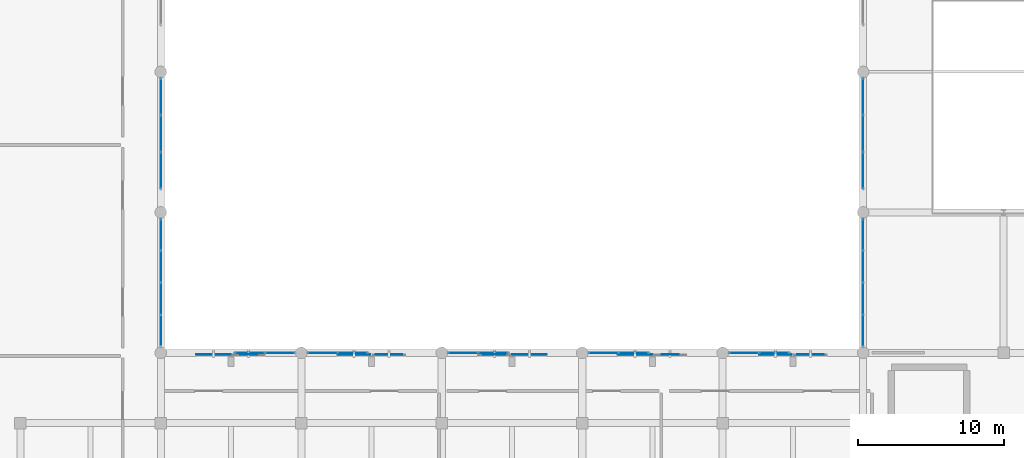
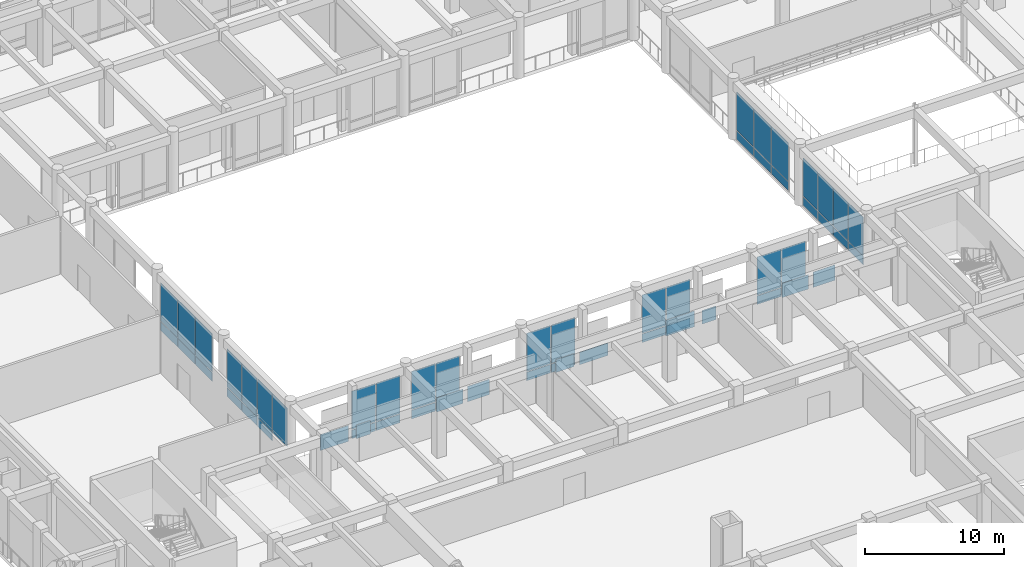
# One storey, part 92 of 134: 57 plates, 9 elements without a shape of their own.
"""IFC4 building model written with IfcOpenShell, lengths in metres."""

import ifcopenshell
import ifcopenshell.guid

model = None  # the IFC model being written
_history = None  # IfcOwnerHistory: only IFC2X3 demands one
_inside = {}  # id of a spatial element -> (the spatial element, [elements in it])
_under = {}  # id of a project, library or spatial element -> (it, [spatial elements below it])
_declared = {}  # id of a project -> (the project, [libraries it declares])
_typed = {}  # id of a type object -> (the type object, [elements of that type])
_made_of = {}  # id of a material, layer set ... -> (it, [elements and type objects made of it])


def new_model(schema):
    """Start an empty IFC model of exactly this schema.

    Asked for "IFC4X3", IfcOpenShell would pick the latest addendum, in which some entities
    have other attributes; the version numbers below select the first issue.
    IFC2X3 requires an IfcOwnerHistory on every rooted entity: one is made here for all.
    """
    global model, _history
    if schema == "IFC4X3":
        model = ifcopenshell.file(schema_version=(4, 3, 0, 0))
    else:
        model = ifcopenshell.file(schema=schema)
    _inside.clear()
    _under.clear()
    _declared.clear()
    _typed.clear()
    _made_of.clear()
    _history = None
    if model.schema == "IFC2X3":
        org = make("IfcOrganization", Name="unknown")
        user = make(
            "IfcPersonAndOrganization",
            ThePerson=make("IfcPerson", FamilyName="unknown"),
            TheOrganization=org,
        )
        app = make(
            "IfcApplication",
            ApplicationDeveloper=org,
            Version="unknown",
            ApplicationFullName="unknown",
            ApplicationIdentifier="unknown",
        )
        _history = make(
            "IfcOwnerHistory",
            OwningUser=user,
            OwningApplication=app,
            ChangeAction="ADDED",
            CreationDate=0,
        )
    return model


def make(cls, **values):
    """One entity of the class cls with the attributes given. An attribute that is None is left unset."""
    return model.create_entity(
        cls, **{name: value for name, value in values.items() if value is not None}
    )


def rooted(cls, **values):
    """An entity with a GlobalId (a new one), such as an element, a storey or a relation."""
    return make(cls, GlobalId=ifcopenshell.guid.new(), OwnerHistory=_history, **values)


def si_unit(unit_type, name, prefix=None):
    """IfcSIUnit, for example si_unit("LENGTHUNIT", "METRE", prefix="MILLI")."""
    return make("IfcSIUnit", UnitType=unit_type, Prefix=prefix, Name=name)


def assignment(units):
    """IfcUnitAssignment: the units of a project."""
    return None if units is None else make("IfcUnitAssignment", Units=units)


def point(xyz):
    """IfcCartesianPoint."""
    return None if xyz is None else make("IfcCartesianPoint", Coordinates=xyz)


def direction(xyz):
    """IfcDirection."""
    return None if xyz is None else make("IfcDirection", DirectionRatios=xyz)


def frame(location, z_axis=None, x_axis=None):
    """IfcAxis2Placement3D, a coordinate frame: its origin and axes. An axis left out is left unset."""
    return make(
        "IfcAxis2Placement3D",
        Location=point(location),
        Axis=direction(z_axis),
        RefDirection=direction(x_axis),
    )


def frame_2d(location, x_axis=None):
    """IfcAxis2Placement2D, a coordinate frame in the plane: its origin and x axis."""
    return make(
        "IfcAxis2Placement2D", Location=point(location), RefDirection=direction(x_axis)
    )


def origin():
    """The frame at (0, 0, 0) with its axes left unset."""
    return frame((0.0, 0.0, 0.0))


def origin_2d():
    """The frame at (0, 0) in the plane with its x axis left unset."""
    return frame_2d((0.0, 0.0))


def place(relative_to, where):
    """IfcLocalPlacement: puts the frame where relative to a parent placement (None: the world)."""
    return make(
        "IfcLocalPlacement", PlacementRelTo=relative_to, RelativePlacement=where
    )


def context(
    kind, dimensions, precision=None, world=None, true_north=None, identifier=None
):
    """IfcGeometricRepresentationContext, for example the 3D "Model" context."""
    return make(
        "IfcGeometricRepresentationContext",
        ContextIdentifier=identifier,
        ContextType=kind,
        CoordinateSpaceDimension=dimensions,
        Precision=precision,
        WorldCoordinateSystem=world,
        TrueNorth=true_north,
    )


def subcontext(parent, identifier, kind, view, scale=None):
    """IfcGeometricRepresentationSubContext, for example "Body" below "Model"."""
    return make(
        "IfcGeometricRepresentationSubContext",
        ContextIdentifier=identifier,
        ContextType=kind,
        ParentContext=parent,
        TargetScale=scale,
        TargetView=view,
    )


def project(units=None, contexts=None):
    """IfcProject with its units and contexts."""
    return rooted(
        "IfcProject",
        Name="project",
        RepresentationContexts=contexts,
        UnitsInContext=assignment(units),
    )


def spatial(cls, under=None, at=None, **own):
    """A site, building, storey or space (cls), placed at a placement, below another one or the project."""
    s = rooted(cls, ObjectPlacement=at, **own)
    if under is not None:
        _under.setdefault(under.id(), (under, []))[1].append(s)
    return s


def profile(cls, at=None, kind="AREA", **sizes):
    """A parametric profile (cls). Its sizes go by their IFC names, for example OverallWidth=200.0."""
    return make(cls, ProfileType=kind, Position=at, **sizes)


def rectangle(**sizes):
    """IfcRectangleProfileDef."""
    return profile("IfcRectangleProfileDef", **sizes)


def extrude(swept, where, along, depth):
    """IfcExtrudedAreaSolid: the profile swept, set in the frame where, extruded along a direction by depth."""
    return make(
        "IfcExtrudedAreaSolid",
        SweptArea=swept,
        Position=where,
        ExtrudedDirection=direction(along),
        Depth=depth,
    )


def shape(context_of_items, identifier, shape_type, items):
    """IfcShapeRepresentation: the items that make up one representation, for example the "Body"."""
    return make(
        "IfcShapeRepresentation",
        ContextOfItems=context_of_items,
        RepresentationIdentifier=identifier,
        RepresentationType=shape_type,
        Items=items,
    )


def material(Name=None, Category=None):
    """IfcMaterial."""
    return make("IfcMaterial", Name=Name, Category=Category)


def layer(
    of_material, thickness, ventilated=None, Name=None, Category=None, Priority=None
):
    """IfcMaterialLayer: one layer of a wall or slab, of a material (None: an air gap)."""
    return make(
        "IfcMaterialLayer",
        Material=of_material,
        LayerThickness=thickness,
        IsVentilated=ventilated,
        Name=Name,
        Category=Category,
        Priority=Priority,
    )


def layer_set(layers, Name=None):
    """IfcMaterialLayerSet."""
    return make("IfcMaterialLayerSet", MaterialLayers=layers, LayerSetName=Name)


def made_of(thing, what):
    """Note that an element or type object is made of a material, layer set ...; save() writes the relation."""
    if what is not None:
        _made_of.setdefault(what.id(), (what, []))[1].append(thing)
    return thing


def type_object(cls, material=None, **own):
    """A type object (cls), such as IfcWallType, which elements share."""
    return made_of(rooted(cls, **own), material)


def element(
    cls,
    number,
    at=None,
    inside=None,
    cuts=None,
    type_object=None,
    material=None,
    context=None,
    identifier="Body",
    shape_type=None,
    held_by="IfcProductDefinitionShape",
    body=None,
    shapes=None,
    **own,
):
    """One element of the class cls, such as IfcWall. Its Tag is "e" and its number.

    at: its placement. inside: the storey or other place that contains it. cuts: it is an
    opening in that element (IfcRelVoidsElement). A single representation is given by context,
    identifier, shape_type and body (its items); several are given by shapes. held_by: the class
    of the entity that holds the representations. save() writes the other relations.
    """
    e = rooted(cls, Tag="e%d" % number, ObjectPlacement=at, **own)
    if body is not None:
        shapes = [shape(context, identifier, shape_type, body)]
    if shapes is not None:
        e.Representation = make(held_by, Representations=shapes)
    if inside is not None:
        _inside.setdefault(inside.id(), (inside, []))[1].append(e)
    if cuts is not None:
        rooted(
            "IfcRelVoidsElement", RelatingBuildingElement=cuts, RelatedOpeningElement=e
        )
    if type_object is not None:
        _typed.setdefault(type_object.id(), (type_object, []))[1].append(e)
    return made_of(e, material)


def aggregate(whole, parts):
    """IfcRelAggregates: a whole, such as a stair, and the parts it consists of."""
    return rooted("IfcRelAggregates", RelatingObject=whole, RelatedObjects=parts)


def save(model, path):
    """Write the relations noted so far, then the file.

    IfcRelAggregates (storeys below a building ...), IfcRelContainedInSpatialStructure (elements
    in a storey), IfcRelDefinesByType, IfcRelAssociatesMaterial and IfcRelDeclares: one each for
    every whole, place, type object, material and project.
    """
    for whole, parts in _under.values():
        aggregate(whole, parts)
    for where, things in _inside.values():
        rooted(
            "IfcRelContainedInSpatialStructure",
            RelatedElements=things,
            RelatingStructure=where,
        )
    for kind, things in _typed.values():
        rooted("IfcRelDefinesByType", RelatedObjects=things, RelatingType=kind)
    for what, things in _made_of.values():
        rooted("IfcRelAssociatesMaterial", RelatedObjects=things, RelatingMaterial=what)
    for by, libraries in _declared.values():
        rooted("IfcRelDeclares", RelatingContext=by, RelatedDefinitions=libraries)
    model.write(path)


model = new_model("IFC4")

# Units and contexts
model_context = context("Model", 3, precision=1e-05, world=origin(), true_north=direction((0.0, 1.0)))
body_context = subcontext(model_context, "Body", "Model", "MODEL_VIEW")
ifc_project = project(units=[si_unit("LENGTHUNIT", "METRE"), si_unit("AREAUNIT", "SQUARE_METRE"), si_unit("VOLUMEUNIT", "CUBIC_METRE"), si_unit("PLANEANGLEUNIT", "RADIAN"), si_unit("MASSUNIT", "GRAM", prefix="KILO")], contexts=[model_context])

# Site, building, storey
site_placement = place(None, origin())
site = spatial("IfcSite", under=ifc_project, at=site_placement, CompositionType="ELEMENT")
building_placement = place(site_placement, origin())
building = spatial("IfcBuilding", under=site, at=building_placement, Name="Nakhvara Creek Congress Hotel", CompositionType="ELEMENT")
storey_placement = place(building_placement, frame((0.0, 0.0, 6.0)))
storey = spatial("IfcBuildingStorey", under=building, at=storey_placement, Name="L01", CompositionType="ELEMENT", Elevation=6.0)

# Plates
ifc_material_1 = material(Name="Perforated champagne-bronze anodised aluminium sheet", Category="aluminium")
plate_type_1 = type_object("IfcPlateType", Name="PLT-MSH-120X120", PredefinedType="SHEET", material=ifc_material_1)
for number, where, z_axis, x_axis, name in (
    (1, (82.800048828125, 43.10009765625, 0.02001953125), (0.0, 0.0, 1.0), (1.0, 0.0, 0.0), "Mashrabiya Spandrel Plate 002"),
    (2, (111.60009765625, 43.10009765625, 0.02001953125), (0.0, 0.0, 1.0), (1.0, 0.0, 0.0), "Mashrabiya Spandrel Plate 008"),
):
    element("IfcPlate", number, at=place(storey_placement, frame(where, z_axis=z_axis, x_axis=x_axis)), inside=storey, type_object=plate_type_1, Name=name, PredefinedType="SHEET", context=body_context, shape_type="SweptSolid", body=[
        extrude(rectangle(XDim=1.159912109375, YDim=0.033935546875, at=origin_2d()), origin(), (0.0, 0.0, 1.0), 1.199951171875),
    ])
plate_type_2 = type_object("IfcPlateType", Name="PLT-MSH-150X115", PredefinedType="SHEET", material=ifc_material_1)
plate_1_placement = place(storey_placement, frame((99.60009765625, 43.10009765625, 0.02001953125), z_axis=(0.0, 0.0, 1.0), x_axis=(1.0, 0.0, 0.0)))
element("IfcPlate", 3, at=plate_1_placement, inside=storey, type_object=plate_type_2, Name="Mashrabiya Spandrel Plate 005", PredefinedType="SHEET", context=body_context, shape_type="SweptSolid", body=[
    extrude(rectangle(XDim=1.5, YDim=0.033935546875, at=origin_2d()), origin(), (0.0, 0.0, 1.0), 1.14990234375),
])
plate_type_3 = type_object("IfcPlateType", Name="PLT-MSH-180X135", PredefinedType="SHEET", material=ifc_material_1)
for number, where, z_axis, x_axis, name in (
    (4, (92.39990234375, 43.10009765625, 0.02001953125), (0.0, 0.0, 1.0), (1.0, 0.0, 0.0), "Mashrabiya Spandrel Plate 004"),
    (5, (121.199951171875, 43.10009765625, 0.02001953125), (0.0, 0.0, 1.0), (1.0, 0.0, 0.0), "Mashrabiya Spandrel Plate 010"),
):
    element("IfcPlate", number, at=place(storey_placement, frame(where, z_axis=z_axis, x_axis=x_axis)), inside=storey, type_object=plate_type_3, Name=name, PredefinedType="SHEET", context=body_context, shape_type="SweptSolid", body=[
        extrude(rectangle(XDim=1.800048828125, YDim=0.035888671875, at=origin_2d()), origin(), (0.0, 0.0, 1.0), 1.35009765625),
    ])
plate_type_4 = type_object("IfcPlateType", Name="PLT-MSH-220X125", PredefinedType="SHEET", material=ifc_material_1)
for number, where, z_axis, x_axis, name in (
    (6, (90.0, 43.10009765625, 0.02001953125), (0.0, 0.0, 1.0), (1.0, 0.0, 0.0), "Mashrabiya Spandrel Plate 003"),
    (7, (118.800048828125, 43.10009765625, 0.02001953125), (0.0, 0.0, 1.0), (1.0, 0.0, 0.0), "Mashrabiya Spandrel Plate 009"),
):
    element("IfcPlate", number, at=place(storey_placement, frame(where, z_axis=z_axis, x_axis=x_axis)), inside=storey, type_object=plate_type_4, Name=name, PredefinedType="SHEET", context=body_context, shape_type="SweptSolid", body=[
        extrude(rectangle(XDim=2.199951171875, YDim=0.035888671875, at=origin_2d()), origin(), (0.0, 0.0, 1.0), 1.25),
    ])
plate_type_5 = type_object("IfcPlateType", Name="PLT-MSH-240X110", PredefinedType="SHEET", material=ifc_material_1)
plate_2_placement = place(storey_placement, frame((102.0, 43.10009765625, 0.02001953125), z_axis=(0.0, 0.0, 1.0), x_axis=(1.0, 0.0, 0.0)))
element("IfcPlate", 8, at=plate_2_placement, inside=storey, type_object=plate_type_5, Name="Mashrabiya Spandrel Plate 006", PredefinedType="SHEET", context=body_context, shape_type="SweptSolid", body=[
    extrude(rectangle(XDim=2.360107421875, YDim=0.035888671875, at=origin_2d()), origin(), (0.0, 0.0, 1.0), 1.10009765625),
])
plate_type_6 = type_object("IfcPlateType", Name="PLT-MSH-240X140", PredefinedType="SHEET", material=ifc_material_1)
for number, where, z_axis, x_axis, name in (
    (9, (80.39990234375, 43.10009765625, 0.02001953125), (0.0, 0.0, 1.0), (1.0, 0.0, 0.0), "Mashrabiya Spandrel Plate 001"),
    (10, (109.199951171875, 43.10009765625, 0.02001953125), (0.0, 0.0, 1.0), (1.0, 0.0, 0.0), "Mashrabiya Spandrel Plate 007"),
):
    element("IfcPlate", number, at=place(storey_placement, frame(where, z_axis=z_axis, x_axis=x_axis)), inside=storey, type_object=plate_type_6, Name=name, PredefinedType="SHEET", context=body_context, shape_type="SweptSolid", body=[
        extrude(rectangle(XDim=2.360107421875, YDim=0.0380859375, at=origin_2d()), origin(), (0.0, 0.0, 1.0), 1.39990234375),
    ])

# Curtain wall, plates
ifc_material_2 = material(Name="Bronze-anodised aluminium AW-6063-T6 and double-silver low-E glass", Category="aluminium")
ifc_layer = layer(ifc_material_2, 0.199951171875)
ifc_layer_set = layer_set([ifc_layer], Name="Bronze-anodised aluminium AW-6063-T6 and double-silver low-E glass")
curtain_wall_type = type_object("IfcCurtainWallType", Name="CW-POD-STICK", PredefinedType="NOTDEFINED", material=ifc_layer_set)
curtain_wall_1_placement = place(storey_placement, origin())
curtain_wall_1 = element("IfcCurtainWall", 11, at=curtain_wall_1_placement, inside=storey, type_object=curtain_wall_type, Name="Curtain Wall CW017", PredefinedType="NOTDEFINED")
ifc_material_3 = material(Name="Double-silver solar-control low-E insulated glass", Category="glass")
plate_type_7 = type_object("IfcPlateType", Name="PNL-GLZ-240X260", PredefinedType="CURTAIN_PANEL", material=ifc_material_3)
plate_3_placement = place(storey_placement, frame((82.892578125, 43.199951171875, 0.06494140625), z_axis=(0.0, 0.0, 1.0), x_axis=(1.0, 0.0, 0.0)))
plate_3 = element("IfcPlate", 12, at=plate_3_placement, type_object=plate_type_7, Name="CW017 panel 1.1", PredefinedType="CURTAIN_PANEL", context=body_context, shape_type="SweptSolid", body=[
    extrude(rectangle(XDim=1.97509765625, YDim=0.030029296875, at=origin_2d()), origin(), (0.0, 0.0, 1.0), 0.75244140625),
])
plate_4_placement = place(storey_placement, frame((82.892578125, 43.199951171875, 0.88232421875), z_axis=(0.0, 0.0, 1.0), x_axis=(1.0, 0.0, 0.0)))
plate_4 = element("IfcPlate", 13, at=plate_4_placement, type_object=plate_type_7, Name="CW017 panel 1.2", PredefinedType="CURTAIN_PANEL", context=body_context, shape_type="SweptSolid", body=[
    extrude(rectangle(XDim=1.97509765625, YDim=0.030029296875, at=origin_2d()), origin(), (0.0, 0.0, 1.0), 3.364501953125),
])
plate_5_placement = place(storey_placement, frame((84.9326171875, 43.199951171875, 0.06494140625), z_axis=(0.0, 0.0, 1.0), x_axis=(1.0, 0.0, 0.0)))
plate_5 = element("IfcPlate", 14, at=plate_5_placement, type_object=plate_type_7, Name="CW017 panel 2.1", PredefinedType="CURTAIN_PANEL", context=body_context, shape_type="SweptSolid", body=[
    extrude(rectangle(XDim=1.97509765625, YDim=0.030029296875, at=origin_2d()), origin(), (0.0, 0.0, 1.0), 0.75244140625),
])
plate_6_placement = place(storey_placement, frame((84.9326171875, 43.199951171875, 0.88232421875), z_axis=(0.0, 0.0, 1.0), x_axis=(1.0, 0.0, 0.0)))
plate_6 = element("IfcPlate", 15, at=plate_6_placement, type_object=plate_type_7, Name="CW017 panel 2.2", PredefinedType="CURTAIN_PANEL", context=body_context, shape_type="SweptSolid", body=[
    extrude(rectangle(XDim=1.97509765625, YDim=0.030029296875, at=origin_2d()), origin(), (0.0, 0.0, 1.0), 3.364501953125),
])
aggregate(curtain_wall_1, [plate_3, plate_4, plate_5, plate_6])

curtain_wall_2_placement = place(storey_placement, origin())
curtain_wall_2 = element("IfcCurtainWall", 16, at=curtain_wall_2_placement, inside=storey, type_object=curtain_wall_type, Name="Curtain Wall CW019", PredefinedType="NOTDEFINED")
plate_7_placement = place(storey_placement, frame((87.867431640625, 43.199951171875, 0.06494140625), z_axis=(0.0, 0.0, 1.0), x_axis=(1.0, 0.0, 0.0)))
plate_7 = element("IfcPlate", 17, at=plate_7_placement, type_object=plate_type_7, Name="CW019 panel 1.1", PredefinedType="CURTAIN_PANEL", context=body_context, shape_type="SweptSolid", body=[
    extrude(rectangle(XDim=1.97509765625, YDim=0.030029296875, at=origin_2d()), origin(), (0.0, 0.0, 1.0), 0.75244140625),
])
plate_8_placement = place(storey_placement, frame((87.867431640625, 43.199951171875, 0.88232421875), z_axis=(0.0, 0.0, 1.0), x_axis=(1.0, 0.0, 0.0)))
plate_8 = element("IfcPlate", 18, at=plate_8_placement, type_object=plate_type_7, Name="CW019 panel 1.2", PredefinedType="CURTAIN_PANEL", context=body_context, shape_type="SweptSolid", body=[
    extrude(rectangle(XDim=1.97509765625, YDim=0.030029296875, at=origin_2d()), origin(), (0.0, 0.0, 1.0), 3.364501953125),
])
plate_9_placement = place(storey_placement, frame((89.907470703125, 43.199951171875, 0.06494140625), z_axis=(0.0, 0.0, 1.0), x_axis=(1.0, 0.0, 0.0)))
plate_9 = element("IfcPlate", 19, at=plate_9_placement, type_object=plate_type_7, Name="CW019 panel 2.1", PredefinedType="CURTAIN_PANEL", context=body_context, shape_type="SweptSolid", body=[
    extrude(rectangle(XDim=1.97509765625, YDim=0.030029296875, at=origin_2d()), origin(), (0.0, 0.0, 1.0), 0.75244140625),
])
plate_10_placement = place(storey_placement, frame((89.907470703125, 43.199951171875, 0.88232421875), z_axis=(0.0, 0.0, 1.0), x_axis=(1.0, 0.0, 0.0)))
plate_10 = element("IfcPlate", 20, at=plate_10_placement, type_object=plate_type_7, Name="CW019 panel 2.2", PredefinedType="CURTAIN_PANEL", context=body_context, shape_type="SweptSolid", body=[
    extrude(rectangle(XDim=1.97509765625, YDim=0.030029296875, at=origin_2d()), origin(), (0.0, 0.0, 1.0), 3.364501953125),
])
aggregate(curtain_wall_2, [plate_7, plate_8, plate_9, plate_10])

curtain_wall_3_placement = place(storey_placement, origin())
curtain_wall_3 = element("IfcCurtainWall", 21, at=curtain_wall_3_placement, inside=storey, type_object=curtain_wall_type, Name="Curtain Wall CW021", PredefinedType="NOTDEFINED")
plate_11_placement = place(storey_placement, frame((97.467529296875, 43.199951171875, 0.06494140625), z_axis=(0.0, 0.0, 1.0), x_axis=(1.0, 0.0, 0.0)))
plate_11 = element("IfcPlate", 22, at=plate_11_placement, type_object=plate_type_7, Name="CW021 panel 1.1", PredefinedType="CURTAIN_PANEL", context=body_context, shape_type="SweptSolid", body=[
    extrude(rectangle(XDim=1.97509765625, YDim=0.030029296875, at=origin_2d()), origin(), (0.0, 0.0, 1.0), 0.75244140625),
])
plate_12_placement = place(storey_placement, frame((97.467529296875, 43.199951171875, 0.88232421875), z_axis=(0.0, 0.0, 1.0), x_axis=(1.0, 0.0, 0.0)))
plate_12 = element("IfcPlate", 23, at=plate_12_placement, type_object=plate_type_7, Name="CW021 panel 1.2", PredefinedType="CURTAIN_PANEL", context=body_context, shape_type="SweptSolid", body=[
    extrude(rectangle(XDim=1.97509765625, YDim=0.030029296875, at=origin_2d()), origin(), (0.0, 0.0, 1.0), 3.364501953125),
])
plate_13_placement = place(storey_placement, frame((99.507568359375, 43.199951171875, 0.06494140625), z_axis=(0.0, 0.0, 1.0), x_axis=(1.0, 0.0, 0.0)))
plate_13 = element("IfcPlate", 24, at=plate_13_placement, type_object=plate_type_7, Name="CW021 panel 2.1", PredefinedType="CURTAIN_PANEL", context=body_context, shape_type="SweptSolid", body=[
    extrude(rectangle(XDim=1.97509765625, YDim=0.030029296875, at=origin_2d()), origin(), (0.0, 0.0, 1.0), 0.75244140625),
])
plate_14_placement = place(storey_placement, frame((99.507568359375, 43.199951171875, 0.88232421875), z_axis=(0.0, 0.0, 1.0), x_axis=(1.0, 0.0, 0.0)))
plate_14 = element("IfcPlate", 25, at=plate_14_placement, type_object=plate_type_7, Name="CW021 panel 2.2", PredefinedType="CURTAIN_PANEL", context=body_context, shape_type="SweptSolid", body=[
    extrude(rectangle(XDim=1.97509765625, YDim=0.030029296875, at=origin_2d()), origin(), (0.0, 0.0, 1.0), 3.364501953125),
])
aggregate(curtain_wall_3, [plate_11, plate_12, plate_13, plate_14])

curtain_wall_4_placement = place(storey_placement, origin())
curtain_wall_4 = element("IfcCurtainWall", 26, at=curtain_wall_4_placement, inside=storey, type_object=curtain_wall_type, Name="Curtain Wall CW023", PredefinedType="NOTDEFINED")
plate_15_placement = place(storey_placement, frame((107.0673828125, 43.199951171875, 0.06494140625), z_axis=(0.0, 0.0, 1.0), x_axis=(1.0, 0.0, 0.0)))
plate_15 = element("IfcPlate", 27, at=plate_15_placement, type_object=plate_type_7, Name="CW023 panel 1.1", PredefinedType="CURTAIN_PANEL", context=body_context, shape_type="SweptSolid", body=[
    extrude(rectangle(XDim=1.97509765625, YDim=0.030029296875, at=origin_2d()), origin(), (0.0, 0.0, 1.0), 0.75244140625),
])
plate_16_placement = place(storey_placement, frame((107.0673828125, 43.199951171875, 0.88232421875), z_axis=(0.0, 0.0, 1.0), x_axis=(1.0, 0.0, 0.0)))
plate_16 = element("IfcPlate", 28, at=plate_16_placement, type_object=plate_type_7, Name="CW023 panel 1.2", PredefinedType="CURTAIN_PANEL", context=body_context, shape_type="SweptSolid", body=[
    extrude(rectangle(XDim=1.97509765625, YDim=0.030029296875, at=origin_2d()), origin(), (0.0, 0.0, 1.0), 3.364501953125),
])
plate_17_placement = place(storey_placement, frame((109.107421875, 43.199951171875, 0.06494140625), z_axis=(0.0, 0.0, 1.0), x_axis=(1.0, 0.0, 0.0)))
plate_17 = element("IfcPlate", 29, at=plate_17_placement, type_object=plate_type_7, Name="CW023 panel 2.1", PredefinedType="CURTAIN_PANEL", context=body_context, shape_type="SweptSolid", body=[
    extrude(rectangle(XDim=1.97509765625, YDim=0.030029296875, at=origin_2d()), origin(), (0.0, 0.0, 1.0), 0.75244140625),
])
plate_18_placement = place(storey_placement, frame((109.107421875, 43.199951171875, 0.88232421875), z_axis=(0.0, 0.0, 1.0), x_axis=(1.0, 0.0, 0.0)))
plate_18 = element("IfcPlate", 30, at=plate_18_placement, type_object=plate_type_7, Name="CW023 panel 2.2", PredefinedType="CURTAIN_PANEL", context=body_context, shape_type="SweptSolid", body=[
    extrude(rectangle(XDim=1.97509765625, YDim=0.030029296875, at=origin_2d()), origin(), (0.0, 0.0, 1.0), 3.364501953125),
])
aggregate(curtain_wall_4, [plate_15, plate_16, plate_17, plate_18])

curtain_wall_5_placement = place(storey_placement, origin())
curtain_wall_5 = element("IfcCurtainWall", 31, at=curtain_wall_5_placement, inside=storey, type_object=curtain_wall_type, Name="Curtain Wall CW025", PredefinedType="NOTDEFINED")
plate_19_placement = place(storey_placement, frame((116.66748046875, 43.199951171875, 0.06494140625), z_axis=(0.0, 0.0, 1.0), x_axis=(1.0, 0.0, 0.0)))
plate_19 = element("IfcPlate", 32, at=plate_19_placement, type_object=plate_type_7, Name="CW025 panel 1.1", PredefinedType="CURTAIN_PANEL", context=body_context, shape_type="SweptSolid", body=[
    extrude(rectangle(XDim=1.97509765625, YDim=0.030029296875, at=origin_2d()), origin(), (0.0, 0.0, 1.0), 0.75244140625),
])
plate_20_placement = place(storey_placement, frame((116.66748046875, 43.199951171875, 0.88232421875), z_axis=(0.0, 0.0, 1.0), x_axis=(1.0, 0.0, 0.0)))
plate_20 = element("IfcPlate", 33, at=plate_20_placement, type_object=plate_type_7, Name="CW025 panel 1.2", PredefinedType="CURTAIN_PANEL", context=body_context, shape_type="SweptSolid", body=[
    extrude(rectangle(XDim=1.97509765625, YDim=0.030029296875, at=origin_2d()), origin(), (0.0, 0.0, 1.0), 3.364501953125),
])
plate_21_placement = place(storey_placement, frame((118.70751953125, 43.199951171875, 0.06494140625), z_axis=(0.0, 0.0, 1.0), x_axis=(1.0, 0.0, 0.0)))
plate_21 = element("IfcPlate", 34, at=plate_21_placement, type_object=plate_type_7, Name="CW025 panel 2.1", PredefinedType="CURTAIN_PANEL", context=body_context, shape_type="SweptSolid", body=[
    extrude(rectangle(XDim=1.97509765625, YDim=0.030029296875, at=origin_2d()), origin(), (0.0, 0.0, 1.0), 0.75244140625),
])
plate_22_placement = place(storey_placement, frame((118.70751953125, 43.199951171875, 0.88232421875), z_axis=(0.0, 0.0, 1.0), x_axis=(1.0, 0.0, 0.0)))
plate_22 = element("IfcPlate", 35, at=plate_22_placement, type_object=plate_type_7, Name="CW025 panel 2.2", PredefinedType="CURTAIN_PANEL", context=body_context, shape_type="SweptSolid", body=[
    extrude(rectangle(XDim=1.97509765625, YDim=0.030029296875, at=origin_2d()), origin(), (0.0, 0.0, 1.0), 3.364501953125),
])
aggregate(curtain_wall_5, [plate_19, plate_20, plate_21, plate_22])

curtain_wall_6_placement = place(storey_placement, origin())
curtain_wall_6 = element("IfcCurtainWall", 36, at=curtain_wall_6_placement, inside=storey, type_object=curtain_wall_type, Name="Curtain Wall CW027", PredefinedType="NOTDEFINED")
plate_23_placement = place(storey_placement, frame((76.800048828125, 51.2724609375, 0.06494140625), z_axis=(0.0, 0.0, 1.0), x_axis=(0.0, -1.0, 0.0)))
plate_23 = element("IfcPlate", 37, at=plate_23_placement, type_object=plate_type_7, Name="CW027 panel 1.1", PredefinedType="CURTAIN_PANEL", context=body_context, shape_type="SweptSolid", body=[
    extrude(rectangle(XDim=2.094970703125, YDim=0.030029296875, at=origin_2d()), origin(), (0.0, 0.0, 1.0), 0.75244140625),
])
plate_24_placement = place(storey_placement, frame((76.800048828125, 51.2724609375, 0.88232421875), z_axis=(0.0, 0.0, 1.0), x_axis=(0.0, -1.0, 0.0)))
plate_24 = element("IfcPlate", 38, at=plate_24_placement, type_object=plate_type_7, Name="CW027 panel 1.2", PredefinedType="CURTAIN_PANEL", context=body_context, shape_type="SweptSolid", body=[
    extrude(rectangle(XDim=2.094970703125, YDim=0.030029296875, at=origin_2d()), origin(), (0.0, 0.0, 1.0), 3.364501953125),
])
plate_25_placement = place(storey_placement, frame((76.800048828125, 49.09619140625, 0.06494140625), z_axis=(0.0, 0.0, 1.0), x_axis=(0.0, -1.0, 0.0)))
plate_25 = element("IfcPlate", 39, at=plate_25_placement, type_object=plate_type_7, Name="CW027 panel 2.1", PredefinedType="CURTAIN_PANEL", context=body_context, shape_type="SweptSolid", body=[
    extrude(rectangle(XDim=2.12744140625, YDim=0.030029296875, at=origin_2d()), origin(), (0.0, 0.0, 1.0), 0.75244140625),
])
plate_26_placement = place(storey_placement, frame((76.800048828125, 49.09619140625, 0.88232421875), z_axis=(0.0, 0.0, 1.0), x_axis=(0.0, -1.0, 0.0)))
plate_26 = element("IfcPlate", 40, at=plate_26_placement, type_object=plate_type_7, Name="CW027 panel 2.2", PredefinedType="CURTAIN_PANEL", context=body_context, shape_type="SweptSolid", body=[
    extrude(rectangle(XDim=2.12744140625, YDim=0.030029296875, at=origin_2d()), origin(), (0.0, 0.0, 1.0), 3.364501953125),
])
plate_27_placement = place(storey_placement, frame((76.800048828125, 46.90380859375, 0.06494140625), z_axis=(0.0, 0.0, 1.0), x_axis=(0.0, -1.0, 0.0)))
plate_27 = element("IfcPlate", 41, at=plate_27_placement, type_object=plate_type_7, Name="CW027 panel 3.1", PredefinedType="CURTAIN_PANEL", context=body_context, shape_type="SweptSolid", body=[
    extrude(rectangle(XDim=2.12744140625, YDim=0.030029296875, at=origin_2d()), origin(), (0.0, 0.0, 1.0), 0.75244140625),
])
plate_28_placement = place(storey_placement, frame((76.800048828125, 46.90380859375, 0.88232421875), z_axis=(0.0, 0.0, 1.0), x_axis=(0.0, -1.0, 0.0)))
plate_28 = element("IfcPlate", 42, at=plate_28_placement, type_object=plate_type_7, Name="CW027 panel 3.2", PredefinedType="CURTAIN_PANEL", context=body_context, shape_type="SweptSolid", body=[
    extrude(rectangle(XDim=2.12744140625, YDim=0.030029296875, at=origin_2d()), origin(), (0.0, 0.0, 1.0), 3.364501953125),
])
plate_29_placement = place(storey_placement, frame((76.800048828125, 44.7275390625, 0.88232421875), z_axis=(0.0, 0.0, 1.0), x_axis=(0.0, -1.0, 0.0)))
plate_29 = element("IfcPlate", 43, at=plate_29_placement, type_object=plate_type_7, Name="CW027 panel 4.2", PredefinedType="CURTAIN_PANEL", context=body_context, shape_type="SweptSolid", body=[
    extrude(rectangle(XDim=2.094970703125, YDim=0.030029296875, at=origin_2d()), origin(), (0.0, 0.0, 1.0), 3.364501953125),
])
aggregate(curtain_wall_6, [plate_23, plate_24, plate_25, plate_26, plate_27, plate_28, plate_29])

curtain_wall_7_placement = place(storey_placement, origin())
curtain_wall_7 = element("IfcCurtainWall", 44, at=curtain_wall_7_placement, inside=storey, type_object=curtain_wall_type, Name="Curtain Wall CW028", PredefinedType="NOTDEFINED")
plate_30_placement = place(storey_placement, frame((124.800048828125, 44.7275390625, 0.06494140625), z_axis=(0.0, 0.0, 1.0), x_axis=(0.0, 1.0, 0.0)))
plate_30 = element("IfcPlate", 45, at=plate_30_placement, type_object=plate_type_7, Name="CW028 panel 1.1", PredefinedType="CURTAIN_PANEL", context=body_context, shape_type="SweptSolid", body=[
    extrude(rectangle(XDim=2.094970703125, YDim=0.030029296875, at=origin_2d()), origin(), (0.0, 0.0, 1.0), 0.75244140625),
])
plate_31_placement = place(storey_placement, frame((124.800048828125, 44.7275390625, 0.88232421875), z_axis=(0.0, 0.0, 1.0), x_axis=(0.0, 1.0, 0.0)))
plate_31 = element("IfcPlate", 46, at=plate_31_placement, type_object=plate_type_7, Name="CW028 panel 1.2", PredefinedType="CURTAIN_PANEL", context=body_context, shape_type="SweptSolid", body=[
    extrude(rectangle(XDim=2.094970703125, YDim=0.030029296875, at=origin_2d()), origin(), (0.0, 0.0, 1.0), 3.364501953125),
])
plate_32_placement = place(storey_placement, frame((124.800048828125, 46.90380859375, 0.06494140625), z_axis=(0.0, 0.0, 1.0), x_axis=(0.0, 1.0, 0.0)))
plate_32 = element("IfcPlate", 47, at=plate_32_placement, type_object=plate_type_7, Name="CW028 panel 2.1", PredefinedType="CURTAIN_PANEL", context=body_context, shape_type="SweptSolid", body=[
    extrude(rectangle(XDim=2.12744140625, YDim=0.030029296875, at=origin_2d()), origin(), (0.0, 0.0, 1.0), 0.75244140625),
])
plate_33_placement = place(storey_placement, frame((124.800048828125, 46.90380859375, 0.88232421875), z_axis=(0.0, 0.0, 1.0), x_axis=(0.0, 1.0, 0.0)))
plate_33 = element("IfcPlate", 48, at=plate_33_placement, type_object=plate_type_7, Name="CW028 panel 2.2", PredefinedType="CURTAIN_PANEL", context=body_context, shape_type="SweptSolid", body=[
    extrude(rectangle(XDim=2.12744140625, YDim=0.030029296875, at=origin_2d()), origin(), (0.0, 0.0, 1.0), 3.364501953125),
])
plate_34_placement = place(storey_placement, frame((124.800048828125, 49.09619140625, 0.06494140625), z_axis=(0.0, 0.0, 1.0), x_axis=(0.0, 1.0, 0.0)))
plate_34 = element("IfcPlate", 49, at=plate_34_placement, type_object=plate_type_7, Name="CW028 panel 3.1", PredefinedType="CURTAIN_PANEL", context=body_context, shape_type="SweptSolid", body=[
    extrude(rectangle(XDim=2.12744140625, YDim=0.030029296875, at=origin_2d()), origin(), (0.0, 0.0, 1.0), 0.75244140625),
])
plate_35_placement = place(storey_placement, frame((124.800048828125, 49.09619140625, 0.88232421875), z_axis=(0.0, 0.0, 1.0), x_axis=(0.0, 1.0, 0.0)))
plate_35 = element("IfcPlate", 50, at=plate_35_placement, type_object=plate_type_7, Name="CW028 panel 3.2", PredefinedType="CURTAIN_PANEL", context=body_context, shape_type="SweptSolid", body=[
    extrude(rectangle(XDim=2.12744140625, YDim=0.030029296875, at=origin_2d()), origin(), (0.0, 0.0, 1.0), 3.364501953125),
])
plate_36_placement = place(storey_placement, frame((124.800048828125, 51.2724609375, 0.06494140625), z_axis=(0.0, 0.0, 1.0), x_axis=(0.0, 1.0, 0.0)))
plate_36 = element("IfcPlate", 51, at=plate_36_placement, type_object=plate_type_7, Name="CW028 panel 4.1", PredefinedType="CURTAIN_PANEL", context=body_context, shape_type="SweptSolid", body=[
    extrude(rectangle(XDim=2.094970703125, YDim=0.030029296875, at=origin_2d()), origin(), (0.0, 0.0, 1.0), 0.75244140625),
])
plate_37_placement = place(storey_placement, frame((124.800048828125, 51.2724609375, 0.88232421875), z_axis=(0.0, 0.0, 1.0), x_axis=(0.0, 1.0, 0.0)))
plate_37 = element("IfcPlate", 52, at=plate_37_placement, type_object=plate_type_7, Name="CW028 panel 4.2", PredefinedType="CURTAIN_PANEL", context=body_context, shape_type="SweptSolid", body=[
    extrude(rectangle(XDim=2.094970703125, YDim=0.030029296875, at=origin_2d()), origin(), (0.0, 0.0, 1.0), 3.364501953125),
])
aggregate(curtain_wall_7, [plate_30, plate_31, plate_32, plate_33, plate_34, plate_35, plate_36, plate_37])

curtain_wall_8_placement = place(storey_placement, origin())
curtain_wall_8 = element("IfcCurtainWall", 53, at=curtain_wall_8_placement, inside=storey, type_object=curtain_wall_type, Name="Curtain Wall CW029", PredefinedType="NOTDEFINED")
plate_38_placement = place(storey_placement, frame((76.800048828125, 60.70458984375, 0.06494140625), z_axis=(0.0, 0.0, 1.0), x_axis=(0.0, -1.0, 0.0)))
plate_38 = element("IfcPlate", 54, at=plate_38_placement, type_object=plate_type_7, Name="CW029 panel 1.1", PredefinedType="CURTAIN_PANEL", context=body_context, shape_type="SweptSolid", body=[
    extrude(rectangle(XDim=2.430908203125, YDim=0.030029296875, at=origin_2d()), origin(), (0.0, 0.0, 1.0), 0.75244140625),
])
plate_39_placement = place(storey_placement, frame((76.800048828125, 60.70458984375, 0.88232421875), z_axis=(0.0, 0.0, 1.0), x_axis=(0.0, -1.0, 0.0)))
plate_39 = element("IfcPlate", 55, at=plate_39_placement, type_object=plate_type_7, Name="CW029 panel 1.2", PredefinedType="CURTAIN_PANEL", context=body_context, shape_type="SweptSolid", body=[
    extrude(rectangle(XDim=2.430908203125, YDim=0.030029296875, at=origin_2d()), origin(), (0.0, 0.0, 1.0), 3.364501953125),
])
plate_40_placement = place(storey_placement, frame((76.800048828125, 58.1923828125, 0.06494140625), z_axis=(0.0, 0.0, 1.0), x_axis=(0.0, -1.0, 0.0)))
plate_40 = element("IfcPlate", 56, at=plate_40_placement, type_object=plate_type_7, Name="CW029 panel 2.1", PredefinedType="CURTAIN_PANEL", context=body_context, shape_type="SweptSolid", body=[
    extrude(rectangle(XDim=2.46337890625, YDim=0.030029296875, at=origin_2d()), origin(), (0.0, 0.0, 1.0), 0.75244140625),
])
plate_41_placement = place(storey_placement, frame((76.800048828125, 58.1923828125, 0.88232421875), z_axis=(0.0, 0.0, 1.0), x_axis=(0.0, -1.0, 0.0)))
plate_41 = element("IfcPlate", 57, at=plate_41_placement, type_object=plate_type_7, Name="CW029 panel 2.2", PredefinedType="CURTAIN_PANEL", context=body_context, shape_type="SweptSolid", body=[
    extrude(rectangle(XDim=2.46337890625, YDim=0.030029296875, at=origin_2d()), origin(), (0.0, 0.0, 1.0), 3.364501953125),
])
plate_42_placement = place(storey_placement, frame((76.800048828125, 55.680419921875, 0.06494140625), z_axis=(0.0, 0.0, 1.0), x_axis=(0.0, -1.0, 0.0)))
plate_42 = element("IfcPlate", 58, at=plate_42_placement, type_object=plate_type_7, Name="CW029 panel 3.1", PredefinedType="CURTAIN_PANEL", context=body_context, shape_type="SweptSolid", body=[
    extrude(rectangle(XDim=2.430908203125, YDim=0.030029296875, at=origin_2d()), origin(), (0.0, 0.0, 1.0), 0.75244140625),
])
plate_43_placement = place(storey_placement, frame((76.800048828125, 55.680419921875, 0.88232421875), z_axis=(0.0, 0.0, 1.0), x_axis=(0.0, -1.0, 0.0)))
plate_43 = element("IfcPlate", 59, at=plate_43_placement, type_object=plate_type_7, Name="CW029 panel 3.2", PredefinedType="CURTAIN_PANEL", context=body_context, shape_type="SweptSolid", body=[
    extrude(rectangle(XDim=2.430908203125, YDim=0.030029296875, at=origin_2d()), origin(), (0.0, 0.0, 1.0), 3.364501953125),
])
aggregate(curtain_wall_8, [plate_38, plate_39, plate_40, plate_41, plate_42, plate_43])

curtain_wall_9_placement = place(storey_placement, origin())
curtain_wall_9 = element("IfcCurtainWall", 60, at=curtain_wall_9_placement, inside=storey, type_object=curtain_wall_type, Name="Curtain Wall CW030", PredefinedType="NOTDEFINED")
plate_44_placement = place(storey_placement, frame((124.800048828125, 55.680419921875, 0.06494140625), z_axis=(0.0, 0.0, 1.0), x_axis=(0.0, 1.0, 0.0)))
plate_44 = element("IfcPlate", 61, at=plate_44_placement, type_object=plate_type_7, Name="CW030 panel 1.1", PredefinedType="CURTAIN_PANEL", context=body_context, shape_type="SweptSolid", body=[
    extrude(rectangle(XDim=2.430908203125, YDim=0.030029296875, at=origin_2d()), origin(), (0.0, 0.0, 1.0), 0.75244140625),
])
plate_45_placement = place(storey_placement, frame((124.800048828125, 55.680419921875, 0.88232421875), z_axis=(0.0, 0.0, 1.0), x_axis=(0.0, 1.0, 0.0)))
plate_45 = element("IfcPlate", 62, at=plate_45_placement, type_object=plate_type_7, Name="CW030 panel 1.2", PredefinedType="CURTAIN_PANEL", context=body_context, shape_type="SweptSolid", body=[
    extrude(rectangle(XDim=2.430908203125, YDim=0.030029296875, at=origin_2d()), origin(), (0.0, 0.0, 1.0), 3.364501953125),
])
plate_46_placement = place(storey_placement, frame((124.800048828125, 58.1923828125, 0.06494140625), z_axis=(0.0, 0.0, 1.0), x_axis=(0.0, 1.0, 0.0)))
plate_46 = element("IfcPlate", 63, at=plate_46_placement, type_object=plate_type_7, Name="CW030 panel 2.1", PredefinedType="CURTAIN_PANEL", context=body_context, shape_type="SweptSolid", body=[
    extrude(rectangle(XDim=2.46337890625, YDim=0.030029296875, at=origin_2d()), origin(), (0.0, 0.0, 1.0), 0.75244140625),
])
plate_47_placement = place(storey_placement, frame((124.800048828125, 58.1923828125, 0.88232421875), z_axis=(0.0, 0.0, 1.0), x_axis=(0.0, 1.0, 0.0)))
plate_47 = element("IfcPlate", 64, at=plate_47_placement, type_object=plate_type_7, Name="CW030 panel 2.2", PredefinedType="CURTAIN_PANEL", context=body_context, shape_type="SweptSolid", body=[
    extrude(rectangle(XDim=2.46337890625, YDim=0.030029296875, at=origin_2d()), origin(), (0.0, 0.0, 1.0), 3.364501953125),
])
plate_48_placement = place(storey_placement, frame((124.800048828125, 60.70458984375, 0.06494140625), z_axis=(0.0, 0.0, 1.0), x_axis=(0.0, 1.0, 0.0)))
plate_48 = element("IfcPlate", 65, at=plate_48_placement, type_object=plate_type_7, Name="CW030 panel 3.1", PredefinedType="CURTAIN_PANEL", context=body_context, shape_type="SweptSolid", body=[
    extrude(rectangle(XDim=2.430908203125, YDim=0.030029296875, at=origin_2d()), origin(), (0.0, 0.0, 1.0), 0.75244140625),
])
plate_49_placement = place(storey_placement, frame((124.800048828125, 60.70458984375, 0.88232421875), z_axis=(0.0, 0.0, 1.0), x_axis=(0.0, 1.0, 0.0)))
plate_49 = element("IfcPlate", 66, at=plate_49_placement, type_object=plate_type_7, Name="CW030 panel 3.2", PredefinedType="CURTAIN_PANEL", context=body_context, shape_type="SweptSolid", body=[
    extrude(rectangle(XDim=2.430908203125, YDim=0.030029296875, at=origin_2d()), origin(), (0.0, 0.0, 1.0), 3.364501953125),
])
aggregate(curtain_wall_9, [plate_44, plate_45, plate_46, plate_47, plate_48, plate_49])

save(model, "model.ifc")
